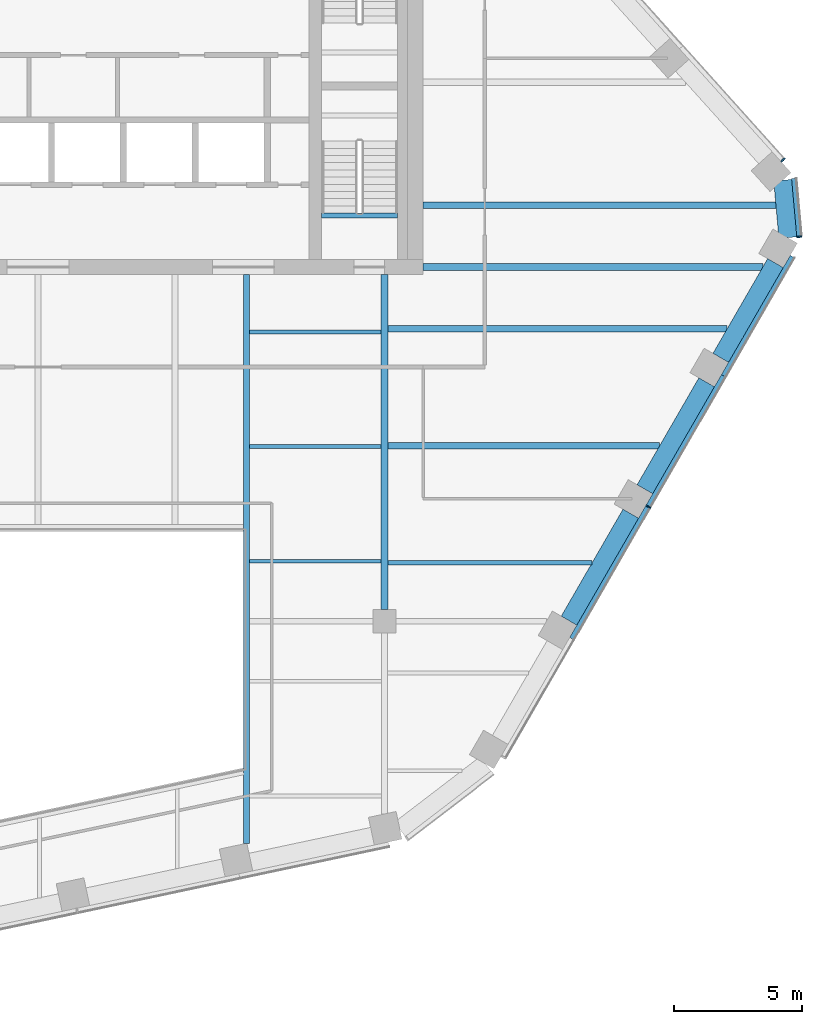
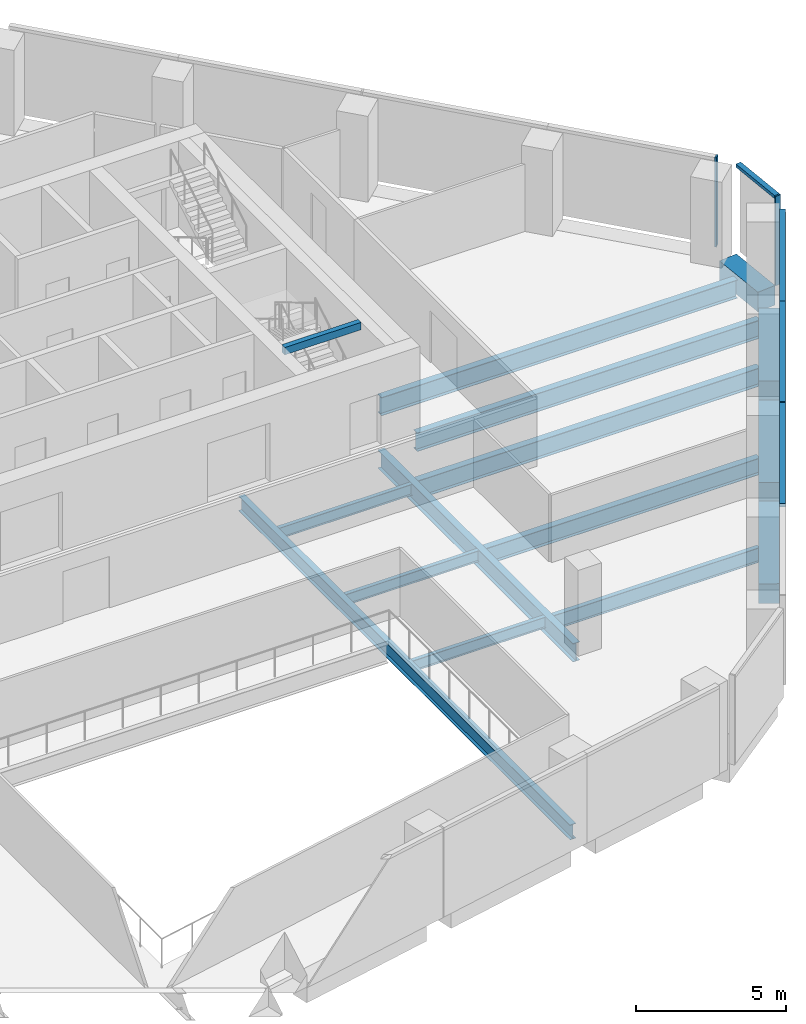
# One storey, part 5 of 15: 15 beams, 7 members, 3 elements without a shape of their own.
"""IFC4 building model written with IfcOpenShell, lengths in metres."""

from ifc_helpers import new_model, si_unit, direction, frame, origin, origin_2d, place, context, subcontext, project, spatial, rectangle, i_section, extrude, material, layer, layer_set, material_profile, profile_set, type_object, element, aggregate, save


model = new_model("IFC4")

# Units and contexts
model_context = context("Model", 3, precision=1e-05, world=origin(), true_north=direction((0.0, 1.0)))
body_context = subcontext(model_context, "Body", "Model", "MODEL_VIEW")
ifc_project = project(units=[si_unit("LENGTHUNIT", "METRE"), si_unit("AREAUNIT", "SQUARE_METRE"), si_unit("VOLUMEUNIT", "CUBIC_METRE"), si_unit("PLANEANGLEUNIT", "RADIAN"), si_unit("MASSUNIT", "GRAM", prefix="KILO")], contexts=[model_context])

# Site, building, storey
site_placement = place(None, origin())
site = spatial("IfcSite", under=ifc_project, at=site_placement, CompositionType="ELEMENT")
building_placement = place(site_placement, origin())
building = spatial("IfcBuilding", under=site, at=building_placement, Name="Isthmus Gate Tower", CompositionType="ELEMENT")
storey_placement = place(building_placement, frame((0.0, 0.0, 245.5)))
storey = spatial("IfcBuildingStorey", under=building, at=storey_placement, Name="L62", CompositionType="ELEMENT", Elevation=245.5)

# Curtain wall, member
ifc_material_1 = material(Name="Aluminium, pale champagne anodised", Category="aluminium")
ifc_layer = layer(ifc_material_1, 0.199951171875)
ifc_layer_set = layer_set([ifc_layer], Name="CW-1 UNITISED CURTAIN WALL 200 DEEP")
curtain_wall_type = type_object("IfcCurtainWallType", Name="CW-1 UNITISED CURTAIN WALL 200 DEEP", PredefinedType="NOTDEFINED", material=ifc_layer_set)
curtain_wall_1_placement = place(storey_placement, origin())
curtain_wall_1 = element("IfcCurtainWall", 1, at=curtain_wall_1_placement, inside=storey, type_object=curtain_wall_type, Name="CW-1 SE L62", PredefinedType="NOTDEFINED")
ifc_material_2 = material(Name="Aluminium, pale champagne anodised", Category="aluminium")
ifc_material_profile_1 = material_profile(ifc_material_2, rectangle(XDim=0.06005859375, YDim=0.199951171875, at=origin_2d()), Name="60x200")
ifc_profile_set_1 = profile_set([ifc_material_profile_1], Name="Aluminium, pale champagne anodised")
member_type_1 = type_object("IfcMemberType", Name="CW-1 MULLION 60 X 200", PredefinedType="MULLION", material=ifc_profile_set_1)
member_1_placement = place(storey_placement, frame((23.767333984375, -9.033935546875, 0.0), z_axis=(0.0, 0.0, 1.0), x_axis=(0.5, 0.866025403784, 0.0)))
member_1 = element("IfcMember", 2, at=member_1_placement, type_object=member_type_1, Name="CW-1 mullion", PredefinedType="MULLION", context=body_context, shape_type="SweptSolid", body=[
    extrude(rectangle(XDim=0.06005859375, YDim=0.199951171875, at=origin_2d()), origin(), (0.0, 0.0, 1.0), 3.64990234375),
])

curtain_wall_2_placement = place(storey_placement, origin())
curtain_wall_2 = element("IfcCurtainWall", 3, at=curtain_wall_2_placement, inside=storey, type_object=curtain_wall_type, Name="CW-1 SE-NE L62", PredefinedType="NOTDEFINED")
member_2_placement = place(storey_placement, frame((29.654296875, 1.4765625, 0.0), z_axis=(0.0, 0.0, 1.0), x_axis=(-0.089396669717, 0.995996102123, 0.0)))
member_2 = element("IfcMember", 4, at=member_2_placement, type_object=member_type_1, Name="CW-1 mullion", PredefinedType="MULLION", context=body_context, shape_type="SweptSolid", body=[
    extrude(rectangle(XDim=0.06005859375, YDim=0.199951171875, at=origin_2d()), origin(), (0.0, 0.0, 1.0), 3.64990234375),
])

curtain_wall_3_placement = place(storey_placement, origin())
curtain_wall_3 = element("IfcCurtainWall", 5, at=curtain_wall_3_placement, inside=storey, type_object=curtain_wall_type, Name="CW-1 NE L62", PredefinedType="NOTDEFINED")
member_3_placement = place(storey_placement, frame((29.016357421875, 4.46923828125, 0.0), z_axis=(0.0, 0.0, 1.0), x_axis=(-0.669130606359, 0.743144825477, 0.0)))
member_3 = element("IfcMember", 6, at=member_3_placement, type_object=member_type_1, Name="CW-1 mullion", PredefinedType="MULLION", context=body_context, shape_type="SweptSolid", body=[
    extrude(rectangle(XDim=0.06005859375, YDim=0.199951171875, at=origin_2d()), origin(), (0.0, 0.0, 1.0), 3.64990234375),
])
aggregate(curtain_wall_3, [member_3])

# Member
ifc_material_3 = material(Name="Aluminium, pale champagne anodised", Category="aluminium")
ifc_material_profile_2 = material_profile(ifc_material_3, rectangle(XDim=0.199951171875, YDim=0.1298828125, at=origin_2d()), Name="200x130")
ifc_profile_set_2 = profile_set([ifc_material_profile_2], Name="Aluminium, pale champagne anodised")
member_type_2 = type_object("IfcMemberType", Name="CW-1 TRANSOM 200 X 130", PredefinedType="USERDEFINED", material=ifc_profile_set_2)
member_4_placement = place(storey_placement, frame((20.796875, -14.178466796875, 3.5849609375), z_axis=(0.500008496284, 0.866020498397, 0.0), x_axis=(-0.866020498397, 0.500008496284, 0.0)))
member_4 = element("IfcMember", 7, at=member_4_placement, type_object=member_type_2, Name="CW-1 transom", ObjectType="TRANSOM", PredefinedType="USERDEFINED", context=body_context, shape_type="SweptSolid", body=[
    extrude(rectangle(XDim=0.199951171875, YDim=0.1298828125, at=origin_2d()), origin(), (0.0, 0.0, 1.0), 5.91064453125),
])

member_5_placement = place(storey_placement, frame((23.7822265625, -9.0078125, 3.5849609375), z_axis=(0.500007820066, 0.86602088882, 0.0), x_axis=(-0.86602088882, 0.500007820066, 0.0)))
member_5 = element("IfcMember", 8, at=member_5_placement, type_object=member_type_2, Name="CW-1 transom", ObjectType="TRANSOM", PredefinedType="USERDEFINED", context=body_context, shape_type="SweptSolid", body=[
    extrude(rectangle(XDim=0.199951171875, YDim=0.1298828125, at=origin_2d()), origin(), (0.0, 0.0, 1.0), 5.8505859375),
])

member_6_placement = place(storey_placement, frame((26.70751953125, -3.941162109375, 3.5849609375), z_axis=(0.50002338526, 0.866011901877, 0.0), x_axis=(-0.866011901877, 0.50002338526, 0.0)))
member_6 = element("IfcMember", 9, at=member_6_placement, type_object=member_type_2, Name="CW-1 transom", ObjectType="TRANSOM", PredefinedType="USERDEFINED", context=body_context, shape_type="SweptSolid", body=[
    extrude(rectangle(XDim=0.199951171875, YDim=0.1298828125, at=origin_2d()), origin(), (0.0, 0.0, 1.0), 5.360595703125),
])

aggregate(curtain_wall_1, [member_4, member_1, member_5, member_6])

member_7_placement = place(storey_placement, frame((29.651611328125, 1.506591796875, 3.5849609375), z_axis=(-0.089395362867, 0.995996219419, 0.0), x_axis=(-0.995996219419, -0.089395362867, 0.0)))
member_7 = element("IfcMember", 10, at=member_7_placement, type_object=member_type_2, Name="CW-1 transom", ObjectType="TRANSOM", PredefinedType="USERDEFINED", context=body_context, shape_type="SweptSolid", body=[
    extrude(rectangle(XDim=0.199951171875, YDim=0.1298828125, at=origin_2d()), origin(), (0.0, 0.0, 1.0), 2.258544921875),
])

aggregate(curtain_wall_2, [member_2, member_7])

# Beams
ifc_material_4 = material(Name="Concrete f'c 50 MPa", Category="concrete")
ifc_material_profile_3 = material_profile(ifc_material_4, rectangle(XDim=0.699951171875, YDim=0.800048828125, at=origin_2d()), Name="RC 700X800")
ifc_profile_set_3 = profile_set([ifc_material_profile_3], Name="Concrete f'c 50 MPa")
beam_type_1 = type_object("IfcBeamType", Name="RC SPANDREL 700 X 800", PredefinedType="SPANDREL", material=ifc_profile_set_3)
beam_1_placement = place(storey_placement, frame((29.0048828125, 3.678466796875, -0.39990234375), z_axis=(0.089359478208, -0.995999439585, 0.0), x_axis=(0.995999439585, 0.089359478208, 0.0)))
element("IfcBeam", 11, at=beam_1_placement, inside=storey, type_object=beam_type_1, Name="str-spandrel-L62-05", PredefinedType="SPANDREL", context=body_context, shape_type="SweptSolid", body=[
    extrude(rectangle(XDim=0.699951171875, YDim=0.800048828125, at=origin_2d()), origin(), (0.0, 0.0, 1.0), 2.245849609375),
])
beam_2_placement = place(storey_placement, frame((28.72314453125, 0.449951171875, -0.39990234375), z_axis=(-0.500021719575, -0.866012863619, 0.0), x_axis=(0.866012863619, -0.500021719575, 0.0)))
element("IfcBeam", 12, at=beam_2_placement, inside=storey, type_object=beam_type_1, Name="str-spandrel-L62-06", PredefinedType="SPANDREL", context=body_context, shape_type="SweptSolid", body=[
    extrude(rectangle(XDim=0.699951171875, YDim=0.800048828125, at=origin_2d()), origin(), (0.0, 0.0, 1.0), 4.260498046875),
])
for number, where, z_axis, x_axis, name in (
    (13, (26.04296875, -4.1923828125, -0.39990234375), (-0.500019702373, -0.866014028315, 0.0), (0.866014028315, -0.500019702373, 0.0), "str-spandrel-L62-07"),
    (14, (23.087646484375, -9.31103515625, -0.39990234375), (-0.49998164095, -0.866036003127, 0.0), (0.866036003127, -0.49998164095, 0.0), "str-spandrel-L62-08"),
):
    element("IfcBeam", number, at=place(storey_placement, frame(where, z_axis=z_axis, x_axis=x_axis)), inside=storey, type_object=beam_type_1, Name=name, PredefinedType="SPANDREL", context=body_context, shape_type="SweptSolid", body=[
        extrude(rectangle(XDim=0.699951171875, YDim=0.800048828125, at=origin_2d()), origin(), (0.0, 0.0, 1.0), 4.810791015625),
    ])
ifc_material_5 = material(Name="Concrete f'c 40 MPa", Category="concrete")
ifc_material_profile_4 = material_profile(ifc_material_5, rectangle(XDim=0.199951171875, YDim=0.300048828125, at=origin_2d()), Name="STAIR LANDING BEAM RC 200 X 300")
ifc_profile_set_4 = profile_set([ifc_material_profile_4], Name="Concrete f'c 40 MPa")
beam_type_2 = type_object("IfcBeamType", Name="STAIR LANDING BEAM RC 200 X 300", PredefinedType="BEAM", material=ifc_profile_set_4)
beam_3_placement = place(storey_placement, frame((11.050048828125, 2.2998046875, 3.35009765625), z_axis=(1.0, 0.0, 0.0), x_axis=(0.0, 1.0, 0.0)))
element("IfcBeam", 15, at=beam_3_placement, inside=storey, type_object=beam_type_2, Name="L62 ST8 floor-edge seat beam", PredefinedType="BEAM", context=body_context, shape_type="SweptSolid", body=[
    extrude(rectangle(XDim=0.199951171875, YDim=0.300048828125, at=origin_2d()), origin(), (0.0, 0.0, 1.0), 2.949951171875),
])
ifc_material_6 = material(Name="Structural steel ASTM A992 Gr 50", Category="steel")
ifc_material_profile_5 = material_profile(ifc_material_6, i_section(OverallWidth=0.15234375, OverallDepth=0.45068359375, WebThickness=0.0078125, FlangeThickness=0.010986328125, at=origin_2d()), Name="W18X35")
ifc_profile_set_5 = profile_set([ifc_material_profile_5], Name="Structural steel ASTM A992 Gr 50")
beam_type_3 = type_object("IfcBeamType", Name="STEEL FLOOR BEAM W18X35", PredefinedType="JOIST", material=ifc_profile_set_5)
for number, where, z_axis, x_axis, name in (
    (16, (8.228515625, -11.16259765625, -0.37548828125), (1.0, 0.0, 0.0), (0.0, 1.0, 0.0), "str-beam-L62-10-00"),
    (17, (8.228515625, -6.697509765625, -0.37548828125), (1.0, 0.0, 0.0), (0.0, 1.0, 0.0), "str-beam-L62-10-01"),
    (18, (8.228515625, -2.232421875, -0.37548828125), (1.0, 0.0, 0.0), (0.0, 1.0, 0.0), "str-beam-L62-10-02"),
):
    element("IfcBeam", number, at=place(storey_placement, frame(where, z_axis=z_axis, x_axis=x_axis)), inside=storey, type_object=beam_type_3, Name=name, PredefinedType="JOIST", context=body_context, shape_type="SweptSolid", body=[
        extrude(i_section(OverallWidth=0.15234375, OverallDepth=0.45068359375, WebThickness=0.0078125, FlangeThickness=0.010986328125, at=origin_2d()), origin(), (0.0, 0.0, 1.0), 5.1396484375),
    ])
ifc_material_7 = material(Name="Structural steel ASTM A992 Gr 50", Category="steel")
ifc_material_profile_6 = material_profile(ifc_material_7, i_section(OverallWidth=0.177734375, OverallDepth=0.60009765625, WebThickness=0.009521484375, FlangeThickness=0.0126953125, at=origin_2d()), Name="W24X55")
ifc_profile_set_6 = profile_set([ifc_material_profile_6], Name="Structural steel ASTM A992 Gr 50")
beam_type_4 = type_object("IfcBeamType", Name="STEEL FLOOR BEAM W24X55", PredefinedType="JOIST", material=ifc_profile_set_6)
beam_4_placement = place(storey_placement, frame((13.6318359375, -11.221923828125, -0.449951171875), z_axis=(1.0, 0.0, 0.0), x_axis=(0.0, 1.0, 0.0)))
element("IfcBeam", 19, at=beam_4_placement, inside=storey, type_object=beam_type_4, Name="str-beam-L62-12-00", PredefinedType="JOIST", context=body_context, shape_type="SweptSolid", body=[
    extrude(i_section(OverallWidth=0.177734375, OverallDepth=0.60009765625, WebThickness=0.009521484375, FlangeThickness=0.0126953125, at=origin_2d()), origin(), (0.0, 0.0, 1.0), 7.948486328125),
])
ifc_material_8 = material(Name="Structural steel ASTM A992 Gr 50", Category="steel")
ifc_material_profile_7 = material_profile(ifc_material_8, i_section(OverallWidth=0.25390625, OverallDepth=0.679443359375, WebThickness=0.010986328125, FlangeThickness=0.015869140625, at=origin_2d()), Name="W27X84")
ifc_profile_set_7 = profile_set([ifc_material_profile_7], Name="Structural steel ASTM A992 Gr 50")
beam_type_5 = type_object("IfcBeamType", Name="STEEL FLOOR BEAM W27X84", PredefinedType="JOIST", material=ifc_profile_set_7)
beam_5_placement = place(storey_placement, frame((13.6318359375, -6.665771484375, -0.48974609375), z_axis=(1.0, 0.0, 0.0), x_axis=(0.0, 1.0, 0.0)))
element("IfcBeam", 20, at=beam_5_placement, inside=storey, type_object=beam_type_5, Name="str-beam-L62-12-01", PredefinedType="JOIST", context=body_context, shape_type="SweptSolid", body=[
    extrude(i_section(OverallWidth=0.25390625, OverallDepth=0.679443359375, WebThickness=0.010986328125, FlangeThickness=0.015869140625, at=origin_2d()), origin(), (0.0, 0.0, 1.0), 10.578857421875),
])
ifc_material_9 = material(Name="Structural steel ASTM A992 Gr 50", Category="steel")
ifc_material_profile_8 = material_profile(ifc_material_9, i_section(OverallWidth=0.263427734375, OverallDepth=0.749267578125, WebThickness=0.0126953125, FlangeThickness=0.015869140625, at=origin_2d()), Name="W30X90")
ifc_profile_set_8 = profile_set([ifc_material_profile_8], Name="Structural steel ASTM A992 Gr 50")
beam_type_6 = type_object("IfcBeamType", Name="STEEL FLOOR BEAM W30X90", PredefinedType="JOIST", material=ifc_profile_set_8)
beam_6_placement = place(storey_placement, frame((13.6318359375, -2.10986328125, -0.524658203125), z_axis=(1.0, 0.0, 0.0), x_axis=(0.0, 1.0, 0.0)))
element("IfcBeam", 21, at=beam_6_placement, inside=storey, type_object=beam_type_6, Name="str-beam-L62-12-02", PredefinedType="JOIST", context=body_context, shape_type="SweptSolid", body=[
    extrude(i_section(OverallWidth=0.263427734375, OverallDepth=0.749267578125, WebThickness=0.0126953125, FlangeThickness=0.015869140625, at=origin_2d()), origin(), (0.0, 0.0, 1.0), 13.209228515625),
])
beam_7_placement = place(storey_placement, frame((15.0, 2.699951171875, -0.524658203125), z_axis=(1.0, 0.0, 0.0), x_axis=(0.0, 1.0, 0.0)))
element("IfcBeam", 22, at=beam_7_placement, inside=storey, type_object=beam_type_6, Name="str-beam-L62-13-00", PredefinedType="JOIST", context=body_context, shape_type="SweptSolid", body=[
    extrude(i_section(OverallWidth=0.263427734375, OverallDepth=0.749267578125, WebThickness=0.0126953125, FlangeThickness=0.015869140625, at=origin_2d()), origin(), (0.0, 0.0, 1.0), 13.7412109375),
])
ifc_material_10 = material(Name="Structural steel ASTM A992 Gr 50", Category="steel")
ifc_material_profile_9 = material_profile(ifc_material_10, i_section(OverallWidth=0.263427734375, OverallDepth=0.749267578125, WebThickness=0.0126953125, FlangeThickness=0.015869140625, at=origin_2d()), Name="W30X90")
ifc_profile_set_9 = profile_set([ifc_material_profile_9], Name="Structural steel ASTM A992 Gr 50")
beam_type_7 = type_object("IfcBeamType", Name="STEEL GIRDER W30X90", PredefinedType="BEAM", material=ifc_profile_set_9)
beam_8_placement = place(storey_placement, frame((13.5, -13.050048828125, -0.524658203125), z_axis=(0.0, 1.0, 0.0), x_axis=(-1.0, 0.0, 0.0)))
element("IfcBeam", 23, at=beam_8_placement, inside=storey, type_object=beam_type_7, Name="str-girder-L62-08", PredefinedType="BEAM", context=body_context, shape_type="SweptSolid", body=[
    extrude(i_section(OverallWidth=0.263427734375, OverallDepth=0.749267578125, WebThickness=0.0126953125, FlangeThickness=0.015869140625, at=origin_2d()), origin(), (0.0, 0.0, 1.0), 13.050048828125),
])
beam_9_placement = place(storey_placement, frame((15.0, 0.300048828125, -0.524658203125), z_axis=(1.0, 0.0, 0.0), x_axis=(0.0, 1.0, 0.0)))
element("IfcBeam", 24, at=beam_9_placement, inside=storey, type_object=beam_type_7, Name="str-girder-L62-10", PredefinedType="BEAM", context=body_context, shape_type="SweptSolid", body=[
    extrude(i_section(OverallWidth=0.263427734375, OverallDepth=0.749267578125, WebThickness=0.0126953125, FlangeThickness=0.015869140625, at=origin_2d()), origin(), (0.0, 0.0, 1.0), 13.232421875),
])
ifc_material_11 = material(Name="Structural steel ASTM A992 Gr 50", Category="steel")
ifc_material_profile_10 = material_profile(ifc_material_11, i_section(OverallWidth=0.228515625, OverallDepth=0.6064453125, WebThickness=0.010986328125, FlangeThickness=0.017578125, at=origin_2d()), Name="W24X76")
ifc_profile_set_10 = profile_set([ifc_material_profile_10], Name="Structural steel ASTM A992 Gr 50")
beam_type_8 = type_object("IfcBeamType", Name="STEEL TRIMMER W24X76", PredefinedType="BEAM", material=ifc_profile_set_10)
beam_10_placement = place(storey_placement, frame((8.1142578125, -22.150634765625, -0.453125), z_axis=(0.0, 1.0, 0.0), x_axis=(-1.0, 0.0, 0.0)))
element("IfcBeam", 25, at=beam_10_placement, inside=storey, type_object=beam_type_8, Name="str-trimmer-L62-01", PredefinedType="BEAM", context=body_context, shape_type="SweptSolid", body=[
    extrude(i_section(OverallWidth=0.228515625, OverallDepth=0.6064453125, WebThickness=0.010986328125, FlangeThickness=0.017578125, at=origin_2d()), origin(), (0.0, 0.0, 1.0), 22.150634765625),
])

save(model, "model.ifc")
